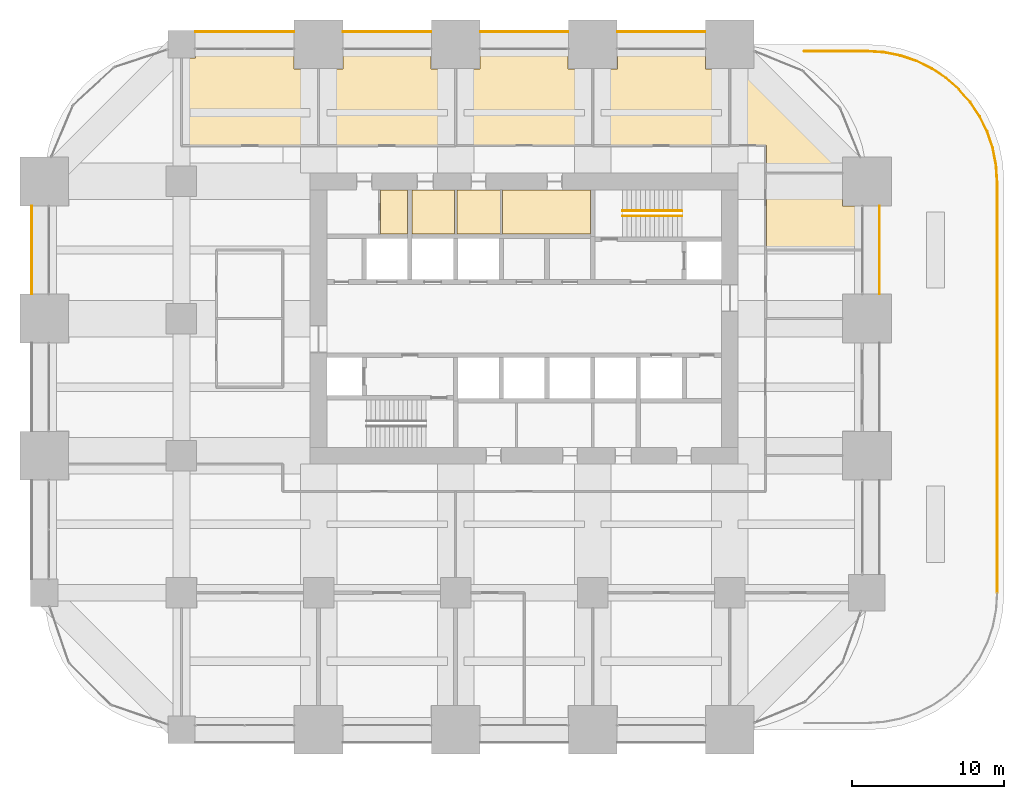
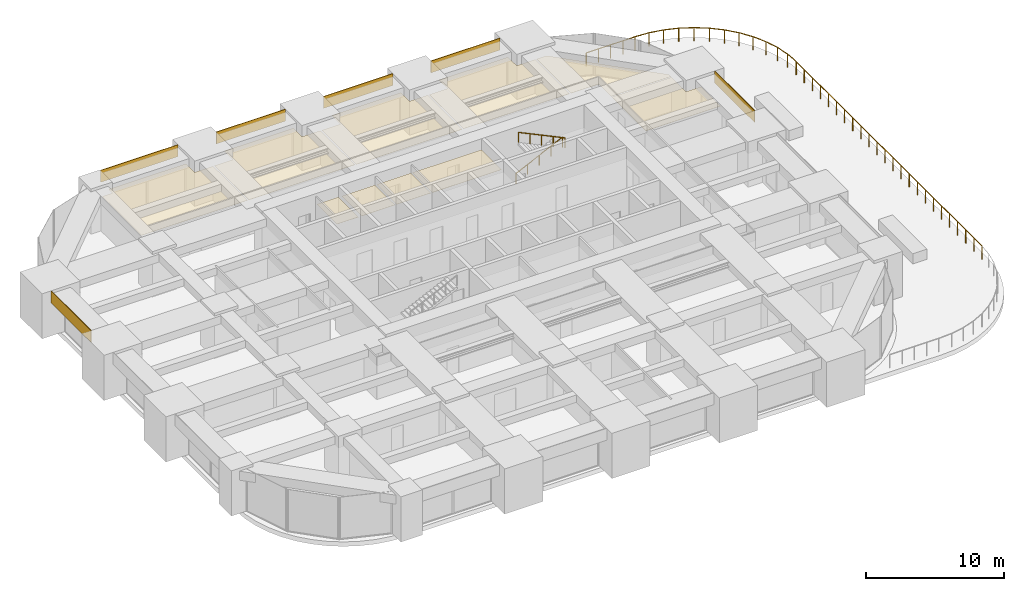
# One storey, part 35 of 35: 16 coverings, 3 railings.
"""IFC4 building model written with IfcOpenShell, lengths in metres."""

from ifc_helpers import new_model, si_unit, direction, frame, frame_2d, origin, origin_2d, place, context, subcontext, project, spatial, polyline, rectangle, circle, outline, extrude, material, layer, layer_set, type_object, element, save


model = new_model("IFC4")

# Units and contexts
model_context = context("Model", 3, precision=1e-05, world=origin(), true_north=direction((0.0, 1.0)))
body_context = subcontext(model_context, "Body", "Model", "MODEL_VIEW")
ifc_project = project(units=[si_unit("LENGTHUNIT", "METRE"), si_unit("AREAUNIT", "SQUARE_METRE"), si_unit("VOLUMEUNIT", "CUBIC_METRE"), si_unit("PLANEANGLEUNIT", "RADIAN"), si_unit("MASSUNIT", "GRAM", prefix="KILO")], contexts=[model_context])

# Site, building, storey
site_placement = place(None, origin())
site = spatial("IfcSite", under=ifc_project, at=site_placement, CompositionType="ELEMENT")
building_placement = place(site_placement, origin())
building = spatial("IfcBuilding", under=site, at=building_placement, Name="Zorevar Civic Tower", CompositionType="ELEMENT")
storey_placement = place(building_placement, frame((0.0, 0.0, 162.199951171875)))
storey = spatial("IfcBuildingStorey", under=building, at=storey_placement, Name="L39", CompositionType="ELEMENT", Elevation=162.199951171875)

# Railings
ifc_material_1 = material(Name="Black steel posts and laminated glass", Category="steel")
railing_type_1 = type_object("IfcRailingType", Name="Guard GR1 1200", PredefinedType="GUARDRAIL", material=ifc_material_1)
railing_1_placement = place(storey_placement, frame((49.88916015625, 44.550048828125, 0.0)))
element("IfcRailing", 1, at=railing_1_placement, inside=storey, type_object=railing_type_1, Name="Guard GR1 L39", PredefinedType="GUARDRAIL", context=body_context, shape_type="SweptSolid", body=[
    extrude(circle(Radius=0.02392578125, at=origin_2d()), frame((0.0, 0.0, 1.17578125), z_axis=(1.0, 0.0, 0.0), x_axis=(0.0, 1.0, 0.0)), (0.0, 0.0, 1.0), 4.09619140625),
    extrude(circle(Radius=0.02392578125, at=origin_2d()), frame((4.09619140625, 0.0, 1.17578125), z_axis=(0.997852333837, -0.065503586587, 0.0), x_axis=(0.065503586587, 0.997852333837, 0.0)), (0.0, 0.0, 1.0), 1.133056640625),
    extrude(circle(Radius=0.02392578125, at=origin_2d()), frame((5.226806640625, -0.07421875, 1.17578125), z_axis=(0.980806763429, -0.194982288456, 0.0), x_axis=(0.194982288456, 0.980806763429, 0.0)), (0.0, 0.0, 1.0), 1.1181640625),
    extrude(circle(Radius=0.02392578125, at=origin_2d()), frame((6.323486328125, -0.292236328125, 1.17578125), z_axis=(0.946877825624, -0.321593506374, 0.0), x_axis=(0.321593506374, 0.946877825624, 0.0)), (0.0, 0.0, 1.0), 1.1181640625),
    extrude(circle(Radius=0.02392578125, at=origin_2d()), frame((7.38232421875, -0.65185546875, 1.17578125), z_axis=(0.896859006823, -0.442316540366, 0.0), x_axis=(0.442316540366, 0.896859006823, 0.0)), (0.0, 0.0, 1.0), 1.1181640625),
    extrude(circle(Radius=0.02392578125, at=origin_2d()), frame((8.38525390625, -1.146484375, 1.17578125), z_axis=(0.831579768311, -0.555405337512, 0.0), x_axis=(0.555405337512, 0.831579768311, 0.0)), (0.0, 0.0, 1.0), 1.1181640625),
    extrude(circle(Radius=0.02392578125, at=origin_2d()), frame((9.315185546875, -1.767578125, 1.17578125), z_axis=(0.751873024363, -0.659307936578, 0.0), x_axis=(0.659307936578, 0.751873024363, 0.0)), (0.0, 0.0, 1.0), 1.118408203125),
    extrude(circle(Radius=0.02392578125, at=origin_2d()), frame((10.156005859375, -2.5048828125, 1.17578125), z_axis=(0.659307936578, -0.751873024363, 0.0), x_axis=(0.751873024363, 0.659307936578, 0.0)), (0.0, 0.0, 1.0), 1.118408203125),
    extrude(circle(Radius=0.02392578125, at=origin_2d()), frame((10.893310546875, -3.345703125, 1.17578125), z_axis=(0.555405337512, -0.831579768311, 0.0), x_axis=(0.831579768311, 0.555405337512, 0.0)), (0.0, 0.0, 1.0), 1.1181640625),
    extrude(circle(Radius=0.02392578125, at=origin_2d()), frame((11.514404296875, -4.275634765625, 1.17578125), z_axis=(0.442316540366, -0.896859006823, 0.0), x_axis=(0.896859006823, 0.442316540366, 0.0)), (0.0, 0.0, 1.0), 1.1181640625),
    extrude(circle(Radius=0.02392578125, at=origin_2d()), frame((12.009033203125, -5.278564453125, 1.17578125), z_axis=(0.321593506374, -0.946877825624, 0.0), x_axis=(0.946877825624, 0.321593506374, 0.0)), (0.0, 0.0, 1.0), 1.1181640625),
    extrude(circle(Radius=0.02392578125, at=origin_2d()), frame((12.36865234375, -6.33740234375, 1.17578125), z_axis=(0.194982288456, -0.980806763429, 0.0), x_axis=(0.980806763429, 0.194982288456, 0.0)), (0.0, 0.0, 1.0), 1.1181640625),
    extrude(circle(Radius=0.02392578125, at=origin_2d()), frame((12.586669921875, -7.43408203125, 1.17578125), z_axis=(0.065503586587, -0.997852333837, 0.0), x_axis=(0.997852333837, 0.065503586587, 0.0)), (0.0, 0.0, 1.0), 1.133056640625),
    extrude(circle(Radius=0.02392578125, at=origin_2d()), frame((12.660888671875, -8.564697265625, 1.17578125), z_axis=(0.0, -1.0, 0.0), x_axis=(1.0, 0.0, 0.0)), (0.0, 0.0, 1.0), 26.970703125),
    extrude(circle(Radius=0.02099609375, at=origin_2d()), origin(), (0.0, 0.0, 1.0), 1.15185546875),
    extrude(circle(Radius=0.02099609375, at=origin_2d()), frame((1.02392578125, 0.0, 0.0)), (0.0, 0.0, 1.0), 1.15185546875),
    extrude(circle(Radius=0.02099609375, at=origin_2d()), frame((2.048095703125, 0.0, 0.0)), (0.0, 0.0, 1.0), 1.15185546875),
    extrude(circle(Radius=0.02099609375, at=origin_2d()), frame((3.072265625, 0.0, 0.0)), (0.0, 0.0, 1.0), 1.15185546875),
    extrude(circle(Radius=0.02099609375, at=origin_2d()), frame((4.09619140625, 0.0, 0.0)), (0.0, 0.0, 1.0), 1.15185546875),
    extrude(circle(Radius=0.02099609375, at=origin_2d()), frame((5.226806640625, -0.07421875, 0.0)), (0.0, 0.0, 1.0), 1.15185546875),
    extrude(circle(Radius=0.02099609375, at=origin_2d()), frame((6.323486328125, -0.292236328125, 0.0)), (0.0, 0.0, 1.0), 1.15185546875),
    extrude(circle(Radius=0.02099609375, at=origin_2d()), frame((7.38232421875, -0.65185546875, 0.0)), (0.0, 0.0, 1.0), 1.15185546875),
    extrude(circle(Radius=0.02099609375, at=origin_2d()), frame((8.38525390625, -1.146484375, 0.0)), (0.0, 0.0, 1.0), 1.15185546875),
    extrude(circle(Radius=0.02099609375, at=origin_2d()), frame((9.315185546875, -1.767578125, 0.0)), (0.0, 0.0, 1.0), 1.15185546875),
    extrude(circle(Radius=0.02099609375, at=origin_2d()), frame((10.156005859375, -2.5048828125, 0.0)), (0.0, 0.0, 1.0), 1.15185546875),
    extrude(circle(Radius=0.02099609375, at=origin_2d()), frame((10.893310546875, -3.345703125, 0.0)), (0.0, 0.0, 1.0), 1.15185546875),
    extrude(circle(Radius=0.02099609375, at=origin_2d()), frame((11.514404296875, -4.275634765625, 0.0)), (0.0, 0.0, 1.0), 1.15185546875),
    extrude(circle(Radius=0.02099609375, at=origin_2d()), frame((12.009033203125, -5.278564453125, 0.0)), (0.0, 0.0, 1.0), 1.15185546875),
    extrude(circle(Radius=0.02099609375, at=origin_2d()), frame((12.36865234375, -6.33740234375, 0.0)), (0.0, 0.0, 1.0), 1.15185546875),
    extrude(circle(Radius=0.02099609375, at=origin_2d()), frame((12.586669921875, -7.43408203125, 0.0)), (0.0, 0.0, 1.0), 1.15185546875),
    extrude(circle(Radius=0.02099609375, at=origin_2d()), frame((12.660888671875, -8.564697265625, 0.0)), (0.0, 0.0, 1.0), 1.15185546875),
    extrude(circle(Radius=0.02099609375, at=origin_2d()), frame((12.660888671875, -9.7373046875, 0.0)), (0.0, 0.0, 1.0), 1.15185546875),
    extrude(circle(Radius=0.02099609375, at=origin_2d()), frame((12.660888671875, -10.909912109375, 0.0)), (0.0, 0.0, 1.0), 1.15185546875),
    extrude(circle(Radius=0.02099609375, at=origin_2d()), frame((12.660888671875, -12.08251953125, 0.0)), (0.0, 0.0, 1.0), 1.15185546875),
    extrude(circle(Radius=0.02099609375, at=origin_2d()), frame((12.660888671875, -13.25537109375, 0.0)), (0.0, 0.0, 1.0), 1.15185546875),
    extrude(circle(Radius=0.02099609375, at=origin_2d()), frame((12.660888671875, -14.427978515625, 0.0)), (0.0, 0.0, 1.0), 1.15185546875),
    extrude(circle(Radius=0.02099609375, at=origin_2d()), frame((12.660888671875, -15.6005859375, 0.0)), (0.0, 0.0, 1.0), 1.15185546875),
    extrude(circle(Radius=0.02099609375, at=origin_2d()), frame((12.660888671875, -16.773193359375, 0.0)), (0.0, 0.0, 1.0), 1.15185546875),
    extrude(circle(Radius=0.02099609375, at=origin_2d()), frame((12.660888671875, -17.94580078125, 0.0)), (0.0, 0.0, 1.0), 1.15185546875),
    extrude(circle(Radius=0.02099609375, at=origin_2d()), frame((12.660888671875, -19.118408203125, 0.0)), (0.0, 0.0, 1.0), 1.15185546875),
    extrude(circle(Radius=0.02099609375, at=origin_2d()), frame((12.660888671875, -20.291015625, 0.0)), (0.0, 0.0, 1.0), 1.15185546875),
    extrude(circle(Radius=0.02099609375, at=origin_2d()), frame((12.660888671875, -21.463623046875, 0.0)), (0.0, 0.0, 1.0), 1.15185546875),
    extrude(circle(Radius=0.02099609375, at=origin_2d()), frame((12.660888671875, -22.636474609375, 0.0)), (0.0, 0.0, 1.0), 1.15185546875),
    extrude(circle(Radius=0.02099609375, at=origin_2d()), frame((12.660888671875, -23.80908203125, 0.0)), (0.0, 0.0, 1.0), 1.15185546875),
    extrude(circle(Radius=0.02099609375, at=origin_2d()), frame((12.660888671875, -24.981689453125, 0.0)), (0.0, 0.0, 1.0), 1.15185546875),
    extrude(circle(Radius=0.02099609375, at=origin_2d()), frame((12.660888671875, -26.154296875, 0.0)), (0.0, 0.0, 1.0), 1.15185546875),
    extrude(circle(Radius=0.02099609375, at=origin_2d()), frame((12.660888671875, -27.326904296875, 0.0)), (0.0, 0.0, 1.0), 1.15185546875),
    extrude(circle(Radius=0.02099609375, at=origin_2d()), frame((12.660888671875, -28.49951171875, 0.0)), (0.0, 0.0, 1.0), 1.15185546875),
    extrude(circle(Radius=0.02099609375, at=origin_2d()), frame((12.660888671875, -29.672119140625, 0.0)), (0.0, 0.0, 1.0), 1.15185546875),
    extrude(circle(Radius=0.02099609375, at=origin_2d()), frame((12.660888671875, -30.8447265625, 0.0)), (0.0, 0.0, 1.0), 1.15185546875),
    extrude(circle(Radius=0.02099609375, at=origin_2d()), frame((12.660888671875, -32.017578125, 0.0)), (0.0, 0.0, 1.0), 1.15185546875),
    extrude(circle(Radius=0.02099609375, at=origin_2d()), frame((12.660888671875, -33.190185546875, 0.0)), (0.0, 0.0, 1.0), 1.15185546875),
    extrude(circle(Radius=0.02099609375, at=origin_2d()), frame((12.660888671875, -34.36279296875, 0.0)), (0.0, 0.0, 1.0), 1.15185546875),
    extrude(circle(Radius=0.02099609375, at=origin_2d()), frame((12.660888671875, -35.535400390625, 0.0)), (0.0, 0.0, 1.0), 1.15185546875),
])
ifc_material_2 = material(Name="Black steel handrail", Category="steel")
railing_type_2 = type_object("IfcRailingType", Name="Handrail HR1 900", PredefinedType="HANDRAIL", material=ifc_material_2)
railing_2_placement = place(storey_placement, frame((37.949951171875, 34.074951171875, 0.142822265625)))
element("IfcRailing", 2, at=railing_2_placement, inside=storey, type_object=railing_type_2, Name="Handrail HR1 ST2 L39", PredefinedType="HANDRAIL", context=body_context, shape_type="SweptSolid", body=[
    extrude(circle(Radius=0.02392578125, at=origin_2d()), frame((0.0, 0.0, 0.8759765625), z_axis=(0.902863652845, 0.0, 0.429926998885), x_axis=(0.0, 1.0, 0.0)), (0.0, 0.0, 1.0), 4.31982421875),
    extrude(circle(Radius=0.02099609375, at=origin_2d()), origin(), (0.0, 0.0, 1.0), 0.851806640625),
    extrude(circle(Radius=0.02099609375, at=origin_2d()), frame((0.97509765625, 0.0, 0.46435546875)), (0.0, 0.0, 1.0), 0.851806640625),
    extrude(circle(Radius=0.02099609375, at=origin_2d()), frame((1.9501953125, 0.0, 0.9287109375)), (0.0, 0.0, 1.0), 0.851806640625),
    extrude(circle(Radius=0.02099609375, at=origin_2d()), frame((2.925048828125, 0.0, 1.392822265625)), (0.0, 0.0, 1.0), 0.851806640625),
    extrude(circle(Radius=0.02099609375, at=origin_2d()), frame((3.900146484375, 0.0, 1.857177734375)), (0.0, 0.0, 1.0), 0.851806640625),
])
railing_3_placement = place(storey_placement, frame((41.85009765625, 33.72509765625, 2.142822265625)))
element("IfcRailing", 3, at=railing_3_placement, inside=storey, type_object=railing_type_2, Name="Handrail HR1 ST2 L39", PredefinedType="HANDRAIL", context=body_context, shape_type="SweptSolid", body=[
    extrude(circle(Radius=0.02392578125, at=origin_2d()), frame((0.0, 0.0, 0.8759765625), z_axis=(-0.902863652845, 0.0, 0.429926998885), x_axis=(0.0, -1.0, 0.0)), (0.0, 0.0, 1.0), 4.31982421875),
    extrude(circle(Radius=0.02099609375, at=origin_2d()), origin(), (0.0, 0.0, 1.0), 0.851806640625),
    extrude(circle(Radius=0.02099609375, at=origin_2d()), frame((-0.97509765625, 0.0, 0.46435546875)), (0.0, 0.0, 1.0), 0.851806640625),
    extrude(circle(Radius=0.02099609375, at=origin_2d()), frame((-1.9501953125, 0.0, 0.9287109375)), (0.0, 0.0, 1.0), 0.851806640625),
    extrude(circle(Radius=0.02099609375, at=origin_2d()), frame((-2.925048828125, 0.0, 1.392822265625)), (0.0, 0.0, 1.0), 0.851806640625),
    extrude(circle(Radius=0.02099609375, at=origin_2d()), frame((-3.900146484375, 0.0, 1.857177734375)), (0.0, 0.0, 1.0), 0.851806640625),
])

# Coverings
ifc_material_3 = material(Name="Moisture-resistant gypsum board")
ifc_layer_1 = layer(ifc_material_3, 0.012451171875)
ifc_layer_set_1 = layer_set([ifc_layer_1], Name="Moisture-resistant ceiling SC3")
covering_type_1 = type_object("IfcCoveringType", Name="Moisture-resistant ceiling SC3", PredefinedType="CEILING", material=ifc_layer_set_1)
covering_1_placement = place(storey_placement, frame((0.0, 0.0, 3.0)))
element("IfcCovering", 4, at=covering_1_placement, inside=storey, type_object=covering_type_1, Name="Ceiling L39-10", PredefinedType="CEILING", context=body_context, shape_type="SweptSolid", body=[
    extrude(outline(polyline([(26.925048828125, 32.550048828125), (26.925048828125, 35.449951171875), (24.14990234375, 35.449951171875), (24.14990234375, 32.550048828125), (26.925048828125, 32.550048828125)])), origin(), (0.0, 0.0, 1.0), 0.012451171875),
])
ifc_material_4 = material(Name="Black anodised aluminium spandrel panel", Category="aluminium")
ifc_layer_2 = layer(ifc_material_4, 0.050048828125)
ifc_layer_set_2 = layer_set([ifc_layer_2], Name="Spandrel cladding SP1")
covering_type_2 = type_object("IfcCoveringType", Name="Spandrel cladding SP1", PredefinedType="CLADDING", material=ifc_layer_set_2)
covering_2_placement = place(storey_placement, frame((9.89990234375, 45.824951171875, 2.949951171875), z_axis=(0.0, 0.0, 1.0), x_axis=(1.0, 0.0, 0.0)))
element("IfcCovering", 5, at=covering_2_placement, inside=storey, type_object=covering_type_2, Name="Spandrel cladding L40", PredefinedType="CLADDING", context=body_context, shape_type="SweptSolid", body=[
    extrude(rectangle(XDim=6.5, YDim=0.050048828125, at=frame_2d((3.25, 0.0))), origin(), (0.0, 0.0, 1.0), 1.050048828125),
])
for number, where, z_axis, x_axis, name in (
    (6, (19.60009765625, 45.824951171875, 2.949951171875), (0.0, 0.0, 1.0), (1.0, 0.0, 0.0), "Spandrel cladding L40"),
    (7, (28.60009765625, 45.824951171875, 2.949951171875), (0.0, 0.0, 1.0), (1.0, 0.0, 0.0), "Spandrel cladding L40"),
    (8, (37.60009765625, 45.824951171875, 2.949951171875), (0.0, 0.0, 1.0), (1.0, 0.0, 0.0), "Spandrel cladding L40"),
    (9, (-0.824951171875, 28.60009765625, 2.949951171875), (0.0, 0.0, 1.0), (0.0, 1.0, 0.0), "Spandrel cladding L40"),
    (10, (54.824951171875, 28.60009765625, 2.949951171875), (0.0, 0.0, 1.0), (0.0, 1.0, 0.0), "Spandrel cladding L40"),
):
    element("IfcCovering", number, at=place(storey_placement, frame(where, z_axis=z_axis, x_axis=x_axis)), inside=storey, type_object=covering_type_2, Name=name, PredefinedType="CLADDING", context=body_context, shape_type="SweptSolid", body=[
        extrude(rectangle(XDim=5.7998046875, YDim=0.050048828125, at=frame_2d((2.89990234375, 0.0))), origin(), (0.0, 0.0, 1.0), 1.050048828125),
    ])
ifc_material_5 = material(Name="Mineral fibre tiles on a concealed grid")
ifc_layer_3 = layer(ifc_material_5, 0.02001953125)
ifc_layer_set_3 = layer_set([ifc_layer_3], Name="Suspended ceiling SC1")
covering_type_3 = type_object("IfcCoveringType", Name="Suspended ceiling SC1", PredefinedType="CEILING", material=ifc_layer_set_3)
covering_3_placement = place(storey_placement, frame((0.0, 0.0, 3.0)))
element("IfcCovering", 11, at=covering_3_placement, inside=storey, type_object=covering_type_3, Name="Ceiling L39-08", PredefinedType="CEILING", context=body_context, shape_type="SweptSolid", body=[
    extrude(outline(polyline([(35.85009765625, 32.550048828125), (35.85009765625, 35.449951171875), (30.06005859375, 35.449951171875), (30.06005859375, 32.550048828125), (35.85009765625, 32.550048828125)])), origin(), (0.0, 0.0, 1.0), 0.02001953125),
])
covering_4_placement = place(storey_placement, frame((0.0, 0.0, 3.0)))
element("IfcCovering", 12, at=covering_4_placement, inside=storey, type_object=covering_type_3, Name="Ceiling L39-09", PredefinedType="CEILING", context=body_context, shape_type="SweptSolid", body=[
    extrude(outline(polyline([(29.93994140625, 32.550048828125), (29.93994140625, 35.449951171875), (27.074951171875, 35.449951171875), (27.074951171875, 32.550048828125), (29.93994140625, 32.550048828125)])), origin(), (0.0, 0.0, 1.0), 0.02001953125),
])
covering_5_placement = place(storey_placement, frame((0.0, 0.0, 3.0)))
element("IfcCovering", 13, at=covering_5_placement, inside=storey, type_object=covering_type_3, Name="Ceiling L39-12", PredefinedType="CEILING", context=body_context, shape_type="SweptSolid", body=[
    extrude(outline(polyline([(23.85009765625, 32.550048828125), (23.85009765625, 35.449951171875), (22.06005859375, 35.449951171875), (22.06005859375, 32.550048828125), (23.85009765625, 32.550048828125)])), origin(), (0.0, 0.0, 1.0), 0.02001953125),
])
covering_6_placement = place(storey_placement, frame((0.0, 0.0, 3.0)))
element("IfcCovering", 14, at=covering_6_placement, inside=storey, type_object=covering_type_3, Name="Ceiling L39-26", PredefinedType="CEILING", context=body_context, shape_type="SweptSolid", body=[
    extrude(outline(polyline([(9.909912109375, 44.090087890625), (9.909912109375, 44.64990234375), (16.389892578125, 44.64990234375), (16.389892578125, 43.389892578125), (17.93994140625, 43.389892578125), (17.93994140625, 38.409912109375), (9.06005859375, 38.409912109375), (9.06005859375, 44.090087890625), (9.909912109375, 44.090087890625)])), origin(), (0.0, 0.0, 1.0), 0.02001953125),
])
covering_7_placement = place(storey_placement, frame((0.0, 0.0, 3.0)))
element("IfcCovering", 15, at=covering_7_placement, inside=storey, type_object=covering_type_3, Name="Ceiling L39-27", PredefinedType="CEILING", context=body_context, shape_type="SweptSolid", body=[
    extrude(outline(polyline([(19.610107421875, 43.389892578125), (19.610107421875, 44.64990234375), (25.389892578125, 44.64990234375), (25.389892578125, 43.389892578125), (26.93994140625, 43.389892578125), (26.93994140625, 38.409912109375), (18.06005859375, 38.409912109375), (18.06005859375, 43.389892578125), (19.610107421875, 43.389892578125)])), origin(), (0.0, 0.0, 1.0), 0.02001953125),
])
covering_8_placement = place(storey_placement, frame((0.0, 0.0, 3.0)))
element("IfcCovering", 16, at=covering_8_placement, inside=storey, type_object=covering_type_3, Name="Ceiling L39-28", PredefinedType="CEILING", context=body_context, shape_type="SweptSolid", body=[
    extrude(outline(polyline([(37.610107421875, 43.389892578125), (37.610107421875, 44.64990234375), (43.389892578125, 44.64990234375), (43.389892578125, 43.389892578125), (44.93994140625, 43.389892578125), (44.93994140625, 38.409912109375), (36.06005859375, 38.409912109375), (36.06005859375, 43.389892578125), (37.610107421875, 43.389892578125)])), origin(), (0.0, 0.0, 1.0), 0.02001953125),
])
covering_9_placement = place(storey_placement, frame((0.0, 0.0, 3.0)))
element("IfcCovering", 17, at=covering_9_placement, inside=storey, type_object=covering_type_3, Name="Ceiling L39-32", PredefinedType="CEILING", context=body_context, shape_type="SweptSolid", body=[
    extrude(outline(polyline([(47.39990234375, 36.5), (52.389892578125, 36.5), (52.389892578125, 34.389892578125), (53.64990234375, 34.389892578125), (53.64990234375, 31.56005859375), (47.39990234375, 31.56005859375), (47.39990234375, 36.5)])), origin(), (0.0, 0.0, 1.0), 0.02001953125),
])
covering_10_placement = place(storey_placement, frame((0.0, 0.0, 3.0)))
element("IfcCovering", 18, at=covering_10_placement, inside=storey, type_object=covering_type_3, Name="Ceiling L39-33", PredefinedType="CEILING", context=body_context, shape_type="SweptSolid", body=[
    extrude(outline(polyline([(35.93994140625, 38.39990234375), (27.06005859375, 38.39990234375), (27.06005859375, 43.389892578125), (28.610107421875, 43.389892578125), (28.610107421875, 44.64990234375), (34.389892578125, 44.64990234375), (34.389892578125, 43.389892578125), (35.93994140625, 43.389892578125), (35.93994140625, 38.39990234375)])), origin(), (0.0, 0.0, 1.0), 0.02001953125),
])
covering_11_placement = place(storey_placement, frame((0.0, 0.0, 3.0)))
element("IfcCovering", 19, at=covering_11_placement, inside=storey, type_object=covering_type_3, Name="Ceiling L39-34", PredefinedType="CEILING", context=body_context, shape_type="SweptSolid", body=[
    extrude(outline(polyline([(52.389892578125, 36.60009765625), (47.39990234375, 36.60009765625), (47.39990234375, 38.35009765625), (47.35009765625, 38.35009765625), (47.35009765625, 38.39990234375), (45.06005859375, 38.39990234375), (45.06005859375, 43.389892578125), (45.90283203125, 43.389892578125), (52.389892578125, 36.90283203125), (52.389892578125, 36.60009765625)])), origin(), (0.0, 0.0, 1.0), 0.02001953125),
])

save(model, "model.ifc")
